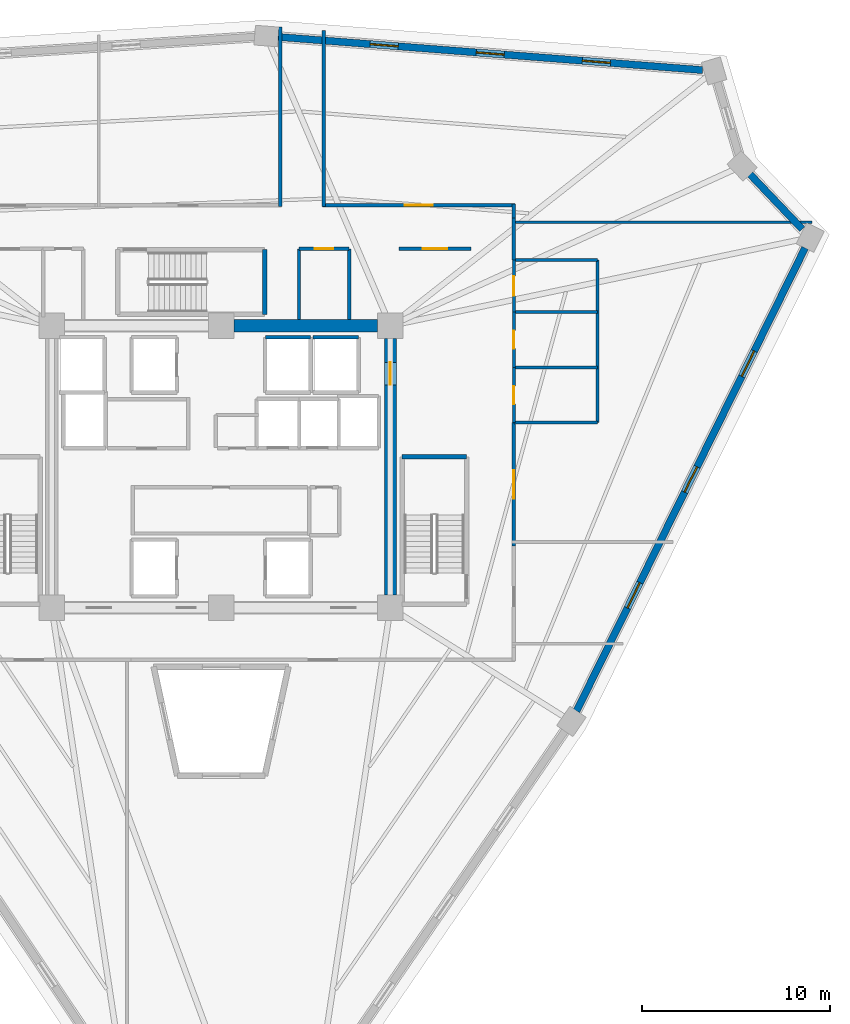
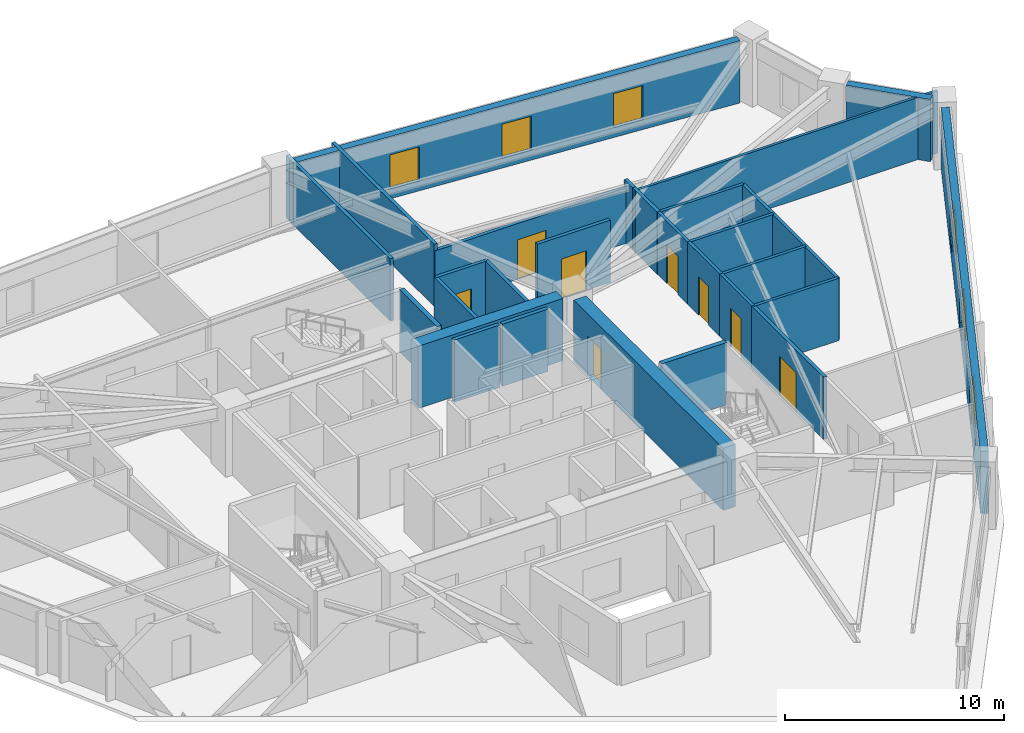
# One storey, part 6 of 8: 28 walls, 8 doors, 6 windows, 14 openings.
"""IFC4 building model written with IfcOpenShell, lengths in metres."""

from ifc_helpers import new_model, si_unit, direction, frame, frame_2d, origin, place, context, subcontext, project, spatial, rectangle, extrude, source, transform, mapped, material, layer, layer_set, type_object, element, fill, save


model = new_model("IFC4")

# Units and contexts
model_context = context("Model", 3, precision=1e-05, world=origin(), true_north=direction((0.0, 1.0)))
body_context = subcontext(model_context, "Body", "Model", "MODEL_VIEW")
ifc_project = project(units=[si_unit("LENGTHUNIT", "METRE"), si_unit("AREAUNIT", "SQUARE_METRE"), si_unit("VOLUMEUNIT", "CUBIC_METRE"), si_unit("PLANEANGLEUNIT", "RADIAN"), si_unit("MASSUNIT", "GRAM", prefix="KILO")], contexts=[model_context])

# Site, building, storey
site_placement = place(None, origin())
site = spatial("IfcSite", under=ifc_project, at=site_placement, CompositionType="ELEMENT")
building_placement = place(site_placement, origin())
building = spatial("IfcBuilding", under=site, at=building_placement, Name="Liaohun Quay Tower", CompositionType="ELEMENT")
storey_placement = place(building_placement, frame((0.0, 0.0, 273.75)))
storey = spatial("IfcBuildingStorey", under=building, at=storey_placement, Name="L71", CompositionType="ELEMENT", Elevation=273.75)

# Wall
ifc_material_1 = material(Name="Concrete C55", Category="concrete")
ifc_layer_1 = layer(ifc_material_1, 0.64990234375, Name="Concrete C55", Category="concrete")
ifc_layer_set_1 = layer_set([ifc_layer_1], Name="Concrete C55")
wall_type_1 = type_object("IfcWallType", Name="WAL-COR-Z3", PredefinedType="SHEAR", material=ifc_layer_set_1)
wall_1_placement = place(storey_placement, frame((60.675048828125, 61.5, 0.0), z_axis=(0.0, 0.0, 1.0), x_axis=(1.0, 0.0, 0.0)))
element("IfcWall", 1, at=wall_1_placement, inside=storey, type_object=wall_type_1, Name="L71 Central Core Shear Wall N-E", PredefinedType="SHEAR", context=body_context, shape_type="SweptSolid", body=[
    extrude(rectangle(XDim=7.64990234375, YDim=0.64990234375, at=frame_2d((3.824951171875, 0.0))), origin(), (0.0, 0.0, 1.0), 3.469970703125),
])

# Wall, opening, door
wall_2_placement = place(storey_placement, frame((69.0, 60.824951171875, 0.0), z_axis=(0.0, 0.0, 1.0), x_axis=(0.0, -1.0, 0.0)))
wall_2 = element("IfcWall", 2, at=wall_2_placement, inside=storey, type_object=wall_type_1, Name="L71 Central Core Shear Wall E", PredefinedType="SHEAR", context=body_context, shape_type="SweptSolid", body=[
    extrude(rectangle(XDim=13.64990234375, YDim=0.64990234375, at=frame_2d((6.824951171875, 0.0))), origin(), (0.0, 0.0, 1.0), 3.469970703125),
])
shared_shape_1 = source(origin(), body_context, "Body", "SweptSolid", [
    extrude(rectangle(XDim=1.199951171875, YDim=2.199951171875, at=frame_2d((0.60009765625, 1.10009765625))), frame((0.0, 0.3349609375, 0.0), z_axis=(0.0, -1.0, 0.0), x_axis=(1.0, 0.0, 0.0)), (0.0, 0.0, 1.0), 0.669921875),
])
opening_1_placement = place(wall_2_placement, frame((1.27490234375, 0.0, 0.0)))
opening_1 = element("IfcOpeningElement", 3, at=opening_1_placement, cuts=wall_2, Name="Opening SD1", PredefinedType="OPENING", context=body_context, shape_type="MappedRepresentation", body=[
    mapped(shared_shape_1, transform((0.0, 0.0, 0.0), x_axis=(1.0, 0.0, 0.0), y_axis=(0.0, 1.0, 0.0), z_axis=(0.0, 0.0, 1.0), scale=1.0)),
])
ifc_material_2 = material(Name="Galvanised steel fire door", Category="steel")
door_type_1 = type_object("IfcDoorType", Name="DOR-STR-1200", OperationType="NOTDEFINED", PredefinedType="DOOR", material=ifc_material_2)
shared_shape_2 = source(origin(), body_context, "Body", "SweptSolid", [
    extrude(rectangle(XDim=1.199951171875, YDim=2.199951171875, at=frame_2d((0.60009765625, 1.10009765625))), frame((0.0, 0.02490234375, 0.0), z_axis=(0.0, -1.0, 0.0), x_axis=(1.0, 0.0, 0.0)), (0.0, 0.0, 1.0), 0.050048828125),
])
door_1_placement = place(opening_1_placement, origin())
door_1 = element("IfcDoor", 4, at=door_1_placement, inside=storey, type_object=door_type_1, Name="L71 North-East Core Lobby Smokeproof Door", OperationType="SINGLE_SWING_LEFT", OverallHeight=2.199951171875, OverallWidth=1.199951171875, PredefinedType="DOOR", context=body_context, shape_type="MappedRepresentation", body=[
    mapped(shared_shape_2, transform((0.0, 0.0, 0.0), x_axis=(1.0, 0.0, 0.0), y_axis=(0.0, 1.0, 0.0), z_axis=(0.0, 0.0, 1.0), scale=1.0)),
])
fill(opening_1, door_1)

# Wall, openings, windows
ifc_material_3 = material(Name="Precast concrete C50 insulated sandwich", Category="concrete")
ifc_layer_2 = layer(ifc_material_3, 0.3798828125, Name="Precast concrete C50 insulated sandwich", Category="concrete")
ifc_layer_set_2 = layer_set([ifc_layer_2], Name="Precast concrete C50 insulated sandwich")
wall_type_2 = type_object("IfcWallType", Name="WAL-EXT-Z34", PredefinedType="SOLIDWALL", material=ifc_layer_set_2)
wall_3_placement = place(storey_placement, frame((78.89697265625, 41.012939453125, 0.0), z_axis=(0.0, 0.0, 1.0), x_axis=(0.44256239755, 0.896737712084, 0.0)))
wall_3 = element("IfcWall", 5, at=wall_3_placement, inside=storey, type_object=wall_type_2, Name="L71 Brutalist Precast Pier Wall 03", PredefinedType="SOLIDWALL", context=body_context, shape_type="SweptSolid", body=[
    extrude(rectangle(XDim=27.456298828125, YDim=0.3798828125, at=frame_2d((13.72802734375, 0.0))), origin(), (0.0, 0.0, 1.0), 3.469970703125),
])
shared_shape_3 = source(origin(), body_context, "Body", "SweptSolid", [
    extrude(rectangle(XDim=1.5, YDim=1.89990234375, at=frame_2d((0.75, 0.949951171875))), frame((0.0, 0.199951171875, 0.0), z_axis=(0.0, -1.0, 0.0), x_axis=(1.0, 0.0, 0.0)), (0.0, 0.0, 1.0), 0.39990234375),
])
opening_2_placement = place(wall_3_placement, frame((6.114013671875, 0.0, 0.550048828125)))
opening_2 = element("IfcOpeningElement", 6, at=opening_2_placement, cuts=wall_3, Name="Opening W03", PredefinedType="OPENING", context=body_context, shape_type="MappedRepresentation", body=[
    mapped(shared_shape_3, transform((0.0, 0.0, 0.0), x_axis=(1.0, 0.0, 0.0), y_axis=(0.0, 1.0, 0.0), z_axis=(0.0, 0.0, 1.0), scale=1.0)),
])
opening_3_placement = place(wall_3_placement, frame((12.97802734375, 0.0, 0.550048828125)))
opening_3 = element("IfcOpeningElement", 7, at=opening_3_placement, cuts=wall_3, Name="Opening W03", PredefinedType="OPENING", context=body_context, shape_type="MappedRepresentation", body=[
    mapped(shared_shape_3, transform((0.0, 0.0, 0.0), x_axis=(1.0, 0.0, 0.0), y_axis=(0.0, 1.0, 0.0), z_axis=(0.0, 0.0, 1.0), scale=1.0)),
])
opening_4_placement = place(wall_3_placement, frame((19.842041015625, 0.0, 0.550048828125)))
opening_4 = element("IfcOpeningElement", 8, at=opening_4_placement, cuts=wall_3, Name="Opening W03", PredefinedType="OPENING", context=body_context, shape_type="MappedRepresentation", body=[
    mapped(shared_shape_3, transform((0.0, 0.0, 0.0), x_axis=(1.0, 0.0, 0.0), y_axis=(0.0, 1.0, 0.0), z_axis=(0.0, 0.0, 1.0), scale=1.0)),
])
ifc_material_4 = material(Name="Triple Low-E argon glazing in thermally broken aluminium", Category="aluminium")
window_type = type_object("IfcWindowType", Name="WIN-PUN-Z3", PartitioningType="DOUBLE_PANEL_VERTICAL", PredefinedType="WINDOW", material=ifc_material_4)
shared_shape_4 = source(origin(), body_context, "Body", "SweptSolid", [
    extrude(rectangle(XDim=1.5, YDim=1.89990234375, at=frame_2d((0.75, 0.949951171875))), frame((0.0, 0.030029296875, 0.0), z_axis=(0.0, -1.0, 0.0), x_axis=(1.0, 0.0, 0.0)), (0.0, 0.0, 1.0), 0.06005859375),
])
window_1_placement = place(opening_2_placement, origin())
window_1 = element("IfcWindow", 9, at=window_1_placement, inside=storey, type_object=window_type, Name="L71 Recessed Cold-Climate Punched Window 03-1", OverallHeight=1.89990234375, OverallWidth=1.5, PartitioningType="DOUBLE_PANEL_VERTICAL", PredefinedType="WINDOW", context=body_context, shape_type="MappedRepresentation", body=[
    mapped(shared_shape_4, transform((0.0, 0.0, 0.0), x_axis=(1.0, 0.0, 0.0), y_axis=(0.0, 1.0, 0.0), z_axis=(0.0, 0.0, 1.0), scale=1.0)),
])
fill(opening_2, window_1)
window_2_placement = place(opening_3_placement, origin())
window_2 = element("IfcWindow", 10, at=window_2_placement, inside=storey, type_object=window_type, Name="L71 Recessed Cold-Climate Punched Window 03-2", OverallHeight=1.89990234375, OverallWidth=1.5, PartitioningType="DOUBLE_PANEL_VERTICAL", PredefinedType="WINDOW", context=body_context, shape_type="MappedRepresentation", body=[
    mapped(shared_shape_4, transform((0.0, 0.0, 0.0), x_axis=(1.0, 0.0, 0.0), y_axis=(0.0, 1.0, 0.0), z_axis=(0.0, 0.0, 1.0), scale=1.0)),
])
fill(opening_3, window_2)
window_3_placement = place(opening_4_placement, origin())
window_3 = element("IfcWindow", 11, at=window_3_placement, inside=storey, type_object=window_type, Name="L71 Recessed Cold-Climate Punched Window 03-3", OverallHeight=1.89990234375, OverallWidth=1.5, PartitioningType="DOUBLE_PANEL_VERTICAL", PredefinedType="WINDOW", context=body_context, shape_type="MappedRepresentation", body=[
    mapped(shared_shape_4, transform((0.0, 0.0, 0.0), x_axis=(1.0, 0.0, 0.0), y_axis=(0.0, 1.0, 0.0), z_axis=(0.0, 0.0, 1.0), scale=1.0)),
])
fill(opening_4, window_3)

# Wall
wall_4_placement = place(storey_placement, frame((90.89599609375, 66.631103515625, 0.0), z_axis=(0.0, 0.0, 1.0), x_axis=(-0.689385443417, 0.724394720028, 0.0)))
element("IfcWall", 12, at=wall_4_placement, inside=storey, type_object=wall_type_2, Name="L71 Brutalist Precast Pier Wall 04", PredefinedType="SOLIDWALL", context=body_context, shape_type="SweptSolid", body=[
    extrude(rectangle(XDim=4.023681640625, YDim=0.3798828125, at=frame_2d((2.01171875, 0.0))), origin(), (0.0, 0.0, 1.0), 3.469970703125),
])

# Wall, openings, windows
wall_5_placement = place(storey_placement, frame((85.596923828125, 75.087890625, 0.0), z_axis=(0.0, 0.0, 1.0), x_axis=(-0.996963017865, 0.077876447083, 0.0)))
wall_5 = element("IfcWall", 13, at=wall_5_placement, inside=storey, type_object=wall_type_2, Name="L71 Brutalist Precast Pier Wall 06", PredefinedType="SOLIDWALL", context=body_context, shape_type="SweptSolid", body=[
    extrude(rectangle(XDim=22.640869140625, YDim=0.3798828125, at=frame_2d((11.3203125, 0.0))), origin(), (0.0, 0.0, 1.0), 3.469970703125),
])
opening_5_placement = place(wall_5_placement, frame((4.909912109375, 0.0, 0.550048828125)))
opening_5 = element("IfcOpeningElement", 14, at=opening_5_placement, cuts=wall_5, Name="Opening W03", PredefinedType="OPENING", context=body_context, shape_type="MappedRepresentation", body=[
    mapped(shared_shape_3, transform((0.0, 0.0, 0.0), x_axis=(1.0, 0.0, 0.0), y_axis=(0.0, 1.0, 0.0), z_axis=(0.0, 0.0, 1.0), scale=1.0)),
])
opening_6_placement = place(wall_5_placement, frame((10.570068359375, 0.0, 0.550048828125)))
opening_6 = element("IfcOpeningElement", 15, at=opening_6_placement, cuts=wall_5, Name="Opening W03", PredefinedType="OPENING", context=body_context, shape_type="MappedRepresentation", body=[
    mapped(shared_shape_3, transform((0.0, 0.0, 0.0), x_axis=(1.0, 0.0, 0.0), y_axis=(0.0, 1.0, 0.0), z_axis=(0.0, 0.0, 1.0), scale=1.0)),
])
opening_7_placement = place(wall_5_placement, frame((16.23095703125, 0.0, 0.550048828125)))
opening_7 = element("IfcOpeningElement", 16, at=opening_7_placement, cuts=wall_5, Name="Opening W03", PredefinedType="OPENING", context=body_context, shape_type="MappedRepresentation", body=[
    mapped(shared_shape_3, transform((0.0, 0.0, 0.0), x_axis=(1.0, 0.0, 0.0), y_axis=(0.0, 1.0, 0.0), z_axis=(0.0, 0.0, 1.0), scale=1.0)),
])
window_4_placement = place(opening_5_placement, origin())
window_4 = element("IfcWindow", 17, at=window_4_placement, inside=storey, type_object=window_type, Name="L71 Recessed Cold-Climate Punched Window 06-1", OverallHeight=1.89990234375, OverallWidth=1.5, PartitioningType="DOUBLE_PANEL_VERTICAL", PredefinedType="WINDOW", context=body_context, shape_type="MappedRepresentation", body=[
    mapped(shared_shape_4, transform((0.0, 0.0, 0.0), x_axis=(1.0, 0.0, 0.0), y_axis=(0.0, 1.0, 0.0), z_axis=(0.0, 0.0, 1.0), scale=1.0)),
])
fill(opening_5, window_4)
window_5_placement = place(opening_6_placement, origin())
window_5 = element("IfcWindow", 18, at=window_5_placement, inside=storey, type_object=window_type, Name="L71 Recessed Cold-Climate Punched Window 06-2", OverallHeight=1.89990234375, OverallWidth=1.5, PartitioningType="DOUBLE_PANEL_VERTICAL", PredefinedType="WINDOW", context=body_context, shape_type="MappedRepresentation", body=[
    mapped(shared_shape_4, transform((0.0, 0.0, 0.0), x_axis=(1.0, 0.0, 0.0), y_axis=(0.0, 1.0, 0.0), z_axis=(0.0, 0.0, 1.0), scale=1.0)),
])
fill(opening_6, window_5)
window_6_placement = place(opening_7_placement, origin())
window_6 = element("IfcWindow", 19, at=window_6_placement, inside=storey, type_object=window_type, Name="L71 Recessed Cold-Climate Punched Window 06-3", OverallHeight=1.89990234375, OverallWidth=1.5, PartitioningType="DOUBLE_PANEL_VERTICAL", PredefinedType="WINDOW", context=body_context, shape_type="MappedRepresentation", body=[
    mapped(shared_shape_4, transform((0.0, 0.0, 0.0), x_axis=(1.0, 0.0, 0.0), y_axis=(0.0, 1.0, 0.0), z_axis=(0.0, 0.0, 1.0), scale=1.0)),
])
fill(opening_7, window_6)

# Wall, opening, door
ifc_material_5 = material(Name="Autoclaved aerated concrete blockwork", Category="masonry")
ifc_layer_3 = layer(ifc_material_5, 0.179931640625, Name="Autoclaved aerated concrete blockwork", Category="masonry")
ifc_layer_set_3 = layer_set([ifc_layer_3], Name="Autoclaved aerated concrete blockwork")
wall_type_3 = type_object("IfcWallType", Name="WAL-PRT-COR", PredefinedType="PARTITIONING", material=ifc_layer_set_3)
wall_6_placement = place(storey_placement, frame((64.139892578125, 65.580078125, 0.0), z_axis=(0.0, 0.0, 1.0), x_axis=(1.0, 0.0, 0.0)))
wall_6 = element("IfcWall", 20, at=wall_6_placement, inside=storey, type_object=wall_type_3, Name="L71 Interior Partition Wall 009", PredefinedType="PARTITIONING", context=body_context, shape_type="SweptSolid", body=[
    extrude(rectangle(XDim=2.670166015625, YDim=0.179931640625, at=frame_2d((1.3349609375, 0.0))), origin(), (0.0, 0.0, 1.0), 3.469970703125),
])
shared_shape_5 = source(origin(), body_context, "Body", "SweptSolid", [
    extrude(rectangle(XDim=1.0, YDim=2.199951171875, at=frame_2d((0.5, 1.10009765625))), frame((0.0, 0.099853515625, 0.0), z_axis=(0.0, -1.0, 0.0), x_axis=(1.0, 0.0, 0.0)), (0.0, 0.0, 1.0), 0.199951171875),
])
opening_8_placement = place(wall_6_placement, frame((0.8349609375, 0.0, 0.0)))
opening_8 = element("IfcOpeningElement", 21, at=opening_8_placement, cuts=wall_6, Name="Opening OD1", PredefinedType="OPENING", context=body_context, shape_type="MappedRepresentation", body=[
    mapped(shared_shape_5, transform((0.0, 0.0, 0.0), x_axis=(1.0, 0.0, 0.0), y_axis=(0.0, 1.0, 0.0), z_axis=(0.0, 0.0, 1.0), scale=1.0)),
])
ifc_material_6 = material(Name="Solid-core oak veneer timber leaf in steel frame", Category="steel")
door_type_2 = type_object("IfcDoorType", Name="DOR-OFF-1000", OperationType="NOTDEFINED", PredefinedType="DOOR", material=ifc_material_6)
shared_shape_6 = source(origin(), body_context, "Body", "SweptSolid", [
    extrude(rectangle(XDim=1.0, YDim=2.199951171875, at=frame_2d((0.5, 1.10009765625))), frame((0.0, 0.02490234375, 0.0), z_axis=(0.0, -1.0, 0.0), x_axis=(1.0, 0.0, 0.0)), (0.0, 0.0, 1.0), 0.050048828125),
])
door_2_placement = place(opening_8_placement, origin())
door_2 = element("IfcDoor", 22, at=door_2_placement, inside=storey, type_object=door_type_2, Name="L71 North-East Server Closet Door", OperationType="SINGLE_SWING_RIGHT", OverallHeight=2.199951171875, OverallWidth=1.0, PredefinedType="DOOR", context=body_context, shape_type="MappedRepresentation", body=[
    mapped(shared_shape_6, transform((0.0, 0.0, 0.0), x_axis=(1.0, 0.0, 0.0), y_axis=(0.0, 1.0, 0.0), z_axis=(0.0, 0.0, 1.0), scale=1.0)),
])
fill(opening_8, door_2)

wall_7_placement = place(storey_placement, frame((69.4599609375, 65.580078125, 0.0), z_axis=(0.0, 0.0, 1.0), x_axis=(1.0, 0.0, 0.0)))
wall_7 = element("IfcWall", 23, at=wall_7_placement, inside=storey, type_object=wall_type_3, Name="L71 Interior Partition Wall 011", PredefinedType="PARTITIONING", context=body_context, shape_type="SweptSolid", body=[
    extrude(rectangle(XDim=3.840087890625, YDim=0.179931640625, at=frame_2d((1.919921875, 0.0))), origin(), (0.0, 0.0, 1.0), 3.469970703125),
])
shared_shape_7 = source(origin(), body_context, "Body", "SweptSolid", [
    extrude(rectangle(XDim=1.300048828125, YDim=2.199951171875, at=frame_2d((0.64990234375, 1.10009765625))), frame((0.0, 0.099853515625, 0.0), z_axis=(0.0, -1.0, 0.0), x_axis=(1.0, 0.0, 0.0)), (0.0, 0.0, 1.0), 0.199951171875),
])
opening_9_placement = place(wall_7_placement, frame((1.27001953125, 0.0, 0.0)))
opening_9 = element("IfcOpeningElement", 24, at=opening_9_placement, cuts=wall_7, Name="Opening FD1", PredefinedType="OPENING", context=body_context, shape_type="MappedRepresentation", body=[
    mapped(shared_shape_7, transform((0.0, 0.0, 0.0), x_axis=(1.0, 0.0, 0.0), y_axis=(0.0, 1.0, 0.0), z_axis=(0.0, 0.0, 1.0), scale=1.0)),
])
ifc_material_7 = material(Name="Galvanised steel smokeproof fire door", Category="steel")
door_type_3 = type_object("IfcDoorType", Name="DOR-FFL-1300", OperationType="NOTDEFINED", PredefinedType="DOOR", material=ifc_material_7)
shared_shape_8 = source(origin(), body_context, "Body", "SweptSolid", [
    extrude(rectangle(XDim=1.300048828125, YDim=2.199951171875, at=frame_2d((0.64990234375, 1.10009765625))), frame((0.0, 0.02490234375, 0.0), z_axis=(0.0, -1.0, 0.0), x_axis=(1.0, 0.0, 0.0)), (0.0, 0.0, 1.0), 0.050048828125),
])
door_3_placement = place(opening_9_placement, origin())
door_3 = element("IfcDoor", 25, at=door_3_placement, inside=storey, type_object=door_type_3, Name="L71 East Core Vestibule Door", OperationType="SINGLE_SWING_RIGHT", OverallHeight=2.199951171875, OverallWidth=1.300048828125, PredefinedType="DOOR", context=body_context, shape_type="MappedRepresentation", body=[
    mapped(shared_shape_8, transform((0.0, 0.0, 0.0), x_axis=(1.0, 0.0, 0.0), y_axis=(0.0, 1.0, 0.0), z_axis=(0.0, 0.0, 1.0), scale=1.0)),
])
fill(opening_9, door_3)

wall_8_placement = place(storey_placement, frame((75.56005859375, 56.340087890625, 0.0), z_axis=(0.0, 0.0, 1.0), x_axis=(0.0, -1.0, 0.0)))
wall_8 = element("IfcWall", 26, at=wall_8_placement, inside=storey, type_object=wall_type_3, Name="L71 Interior Partition Wall 012", PredefinedType="PARTITIONING", context=body_context, shape_type="SweptSolid", body=[
    extrude(rectangle(XDim=6.55517578125, YDim=0.179931640625, at=frame_2d((3.277587890625, 0.0))), origin(), (0.0, 0.0, 1.0), 3.469970703125),
])
shared_shape_9 = source(origin(), body_context, "Body", "SweptSolid", [
    extrude(rectangle(XDim=1.5, YDim=2.199951171875, at=frame_2d((0.75, 1.10009765625))), frame((0.0, 0.099853515625, 0.0), z_axis=(0.0, -1.0, 0.0), x_axis=(1.0, 0.0, 0.0)), (0.0, 0.0, 1.0), 0.199951171875),
])
opening_10_placement = place(wall_8_placement, frame((2.528076171875, 0.0, 0.0)))
opening_10 = element("IfcOpeningElement", 27, at=opening_10_placement, cuts=wall_8, Name="Opening OD2", PredefinedType="OPENING", context=body_context, shape_type="MappedRepresentation", body=[
    mapped(shared_shape_9, transform((0.0, 0.0, 0.0), x_axis=(1.0, 0.0, 0.0), y_axis=(0.0, 1.0, 0.0), z_axis=(0.0, 0.0, 1.0), scale=1.0)),
])
ifc_material_8 = material(Name="Acoustic oak veneer double door")
door_type_4 = type_object("IfcDoorType", Name="DOR-OFF-1500", OperationType="DOUBLE_DOOR_SINGLE_SWING", PredefinedType="DOOR", material=ifc_material_8)
shared_shape_10 = source(origin(), body_context, "Body", "SweptSolid", [
    extrude(rectangle(XDim=1.5, YDim=2.199951171875, at=frame_2d((0.75, 1.10009765625))), frame((0.0, 0.02490234375, 0.0), z_axis=(0.0, -1.0, 0.0), x_axis=(1.0, 0.0, 0.0)), (0.0, 0.0, 1.0), 0.050048828125),
])
door_4_placement = place(opening_10_placement, origin())
door_4 = element("IfcDoor", 28, at=door_4_placement, inside=storey, type_object=door_type_4, Name="L71 Digital Prototyping Laboratory 01 Door", OperationType="DOUBLE_DOOR_SINGLE_SWING", OverallHeight=2.199951171875, OverallWidth=1.5, PredefinedType="DOOR", context=body_context, shape_type="MappedRepresentation", body=[
    mapped(shared_shape_10, transform((0.0, 0.0, 0.0), x_axis=(1.0, 0.0, 0.0), y_axis=(0.0, 1.0, 0.0), z_axis=(0.0, 0.0, 1.0), scale=1.0)),
])
fill(opening_10, door_4)

wall_9_placement = place(storey_placement, frame((65.389892578125, 67.909912109375, 0.0), z_axis=(0.0, 0.0, 1.0), x_axis=(1.0, 0.0, 0.0)))
wall_9 = element("IfcWall", 29, at=wall_9_placement, inside=storey, type_object=wall_type_3, Name="L71 Interior Partition Wall 013", PredefinedType="PARTITIONING", context=body_context, shape_type="SweptSolid", body=[
    extrude(rectangle(XDim=10.239990234375, YDim=0.179931640625, at=frame_2d((5.1201171875, 0.0))), origin(), (0.0, 0.0, 1.0), 3.10498046875),
])
opening_11_placement = place(wall_9_placement, frame((4.3701171875, 0.0, 0.0)))
opening_11 = element("IfcOpeningElement", 30, at=opening_11_placement, cuts=wall_9, Name="Opening OD2", PredefinedType="OPENING", context=body_context, shape_type="MappedRepresentation", body=[
    mapped(shared_shape_9, transform((0.0, 0.0, 0.0), x_axis=(1.0, 0.0, 0.0), y_axis=(0.0, 1.0, 0.0), z_axis=(0.0, 0.0, 1.0), scale=1.0)),
])
door_5_placement = place(opening_11_placement, origin())
door_5 = element("IfcDoor", 31, at=door_5_placement, inside=storey, type_object=door_type_4, Name="L71 Corporate Exhibition Gallery 02 Door", OperationType="DOUBLE_DOOR_SINGLE_SWING", OverallHeight=2.199951171875, OverallWidth=1.5, PredefinedType="DOOR", context=body_context, shape_type="MappedRepresentation", body=[
    mapped(shared_shape_10, transform((0.0, 0.0, 0.0), x_axis=(1.0, 0.0, 0.0), y_axis=(0.0, 1.0, 0.0), z_axis=(0.0, 0.0, 1.0), scale=1.0)),
])
fill(opening_11, door_5)

# Walls
for number, where, z_axis, x_axis, name in (
    (32, (64.139892578125, 61.824951171875, 0.0), (0.0, 0.0, 1.0), (0.0, 1.0, 0.0), "L71 Interior Partition Wall 036"),
    (33, (66.81005859375, 61.824951171875, 0.0), (0.0, 0.0, 1.0), (0.0, 1.0, 0.0), "L71 Interior Partition Wall 037"),
):
    element("IfcWall", number, at=place(storey_placement, frame(where, z_axis=z_axis, x_axis=x_axis)), inside=storey, type_object=wall_type_3, Name=name, PredefinedType="PARTITIONING", context=body_context, shape_type="SweptSolid", body=[
        extrude(rectangle(XDim=3.755126953125, YDim=0.179931640625, at=frame_2d((1.87744140625, 0.0))), origin(), (0.0, 0.0, 1.0), 3.469970703125),
    ])
wall_10_placement = place(storey_placement, frame((75.56005859375, 67.215087890625, 0.0), z_axis=(0.0, 0.0, 1.0), x_axis=(0.0, -1.0, 0.0)))
element("IfcWall", 34, at=wall_10_placement, inside=storey, type_object=wall_type_3, Name="L71 Interior Partition Wall 038", PredefinedType="PARTITIONING", context=body_context, shape_type="SweptSolid", body=[
    extrude(rectangle(XDim=2.235107421875, YDim=0.179931640625, at=frame_2d((1.11767578125, 0.0))), origin(), (0.0, 0.0, 1.0), 3.469970703125),
])
wall_11_placement = place(storey_placement, frame((65.4599609375, 77.201904296875, 0.0), z_axis=(0.0, 0.0, 1.0), x_axis=(0.0, -1.0, 0.0)))
element("IfcWall", 35, at=wall_11_placement, inside=storey, type_object=wall_type_3, Name="L71 Interior Partition Wall 039", PredefinedType="PARTITIONING", context=body_context, shape_type="SweptSolid", body=[
    extrude(rectangle(XDim=9.36181640625, YDim=0.179931640625, at=frame_2d((4.680908203125, 0.0))), origin(), (0.0, 0.0, 1.0), 3.469970703125),
])
wall_12_placement = place(storey_placement, frame((75.56005859375, 67.97998046875, 0.0), z_axis=(0.0, 0.0, 1.0), x_axis=(0.0, -1.0, 0.0)))
element("IfcWall", 36, at=wall_12_placement, inside=storey, type_object=wall_type_3, Name="L71 Interior Partition Wall 040", PredefinedType="PARTITIONING", context=body_context, shape_type="SweptSolid", body=[
    extrude(rectangle(XDim=0.764892578125, YDim=0.179931640625, at=frame_2d((0.38232421875, 0.0))), origin(), (0.0, 0.0, 1.0), 3.469970703125),
])
wall_13_placement = place(storey_placement, frame((63.139892578125, 67.840087890625, 0.0), z_axis=(0.0, 0.0, 1.0), x_axis=(0.0, 1.0, 0.0)))
element("IfcWall", 37, at=wall_13_placement, inside=storey, type_object=wall_type_3, Name="L71 Interior Partition Wall 041", PredefinedType="PARTITIONING", context=body_context, shape_type="SweptSolid", body=[
    extrude(rectangle(XDim=9.54296875, YDim=0.179931640625, at=frame_2d((4.771484375, 0.0))), origin(), (0.0, 0.0, 1.0), 3.469970703125),
])
ifc_material_9 = material(Name="Gypsum board on twin steel studs", Category="steel")
ifc_layer_4 = layer(ifc_material_9, 0.139892578125, Name="Gypsum board on twin steel studs", Category="steel")
ifc_layer_set_4 = layer_set([ifc_layer_4], Name="Gypsum board on twin steel studs")
wall_type_4 = type_object("IfcWallType", Name="WAL-PRT-OFF", PredefinedType="PARTITIONING", material=ifc_layer_set_4)
wall_14_placement = place(storey_placement, frame((75.4599609375, 67.0, 0.0), z_axis=(0.0, 0.0, 1.0), x_axis=(1.0, 0.0, 0.0)))
element("IfcWall", 38, at=wall_14_placement, inside=storey, type_object=wall_type_4, Name="L71 Interior Partition Wall 055", PredefinedType="PARTITIONING", context=body_context, shape_type="SweptSolid", body=[
    extrude(rectangle(XDim=15.9541015625, YDim=0.139892578125, at=frame_2d((7.97705078125, 0.0))), origin(), (0.0, 0.0, 1.0), 3.469970703125),
])

# Wall, opening, door
ifc_material_10 = material(Name="Moisture-resistant masonry blockwork", Category="masonry")
ifc_layer_5 = layer(ifc_material_10, 0.159912109375, Name="Moisture-resistant masonry blockwork", Category="masonry")
ifc_layer_set_5 = layer_set([ifc_layer_5], Name="Moisture-resistant masonry blockwork")
wall_type_5 = type_object("IfcWallType", Name="WAL-PRT-WET", PredefinedType="PARTITIONING", material=ifc_layer_set_5)
wall_15_placement = place(storey_placement, frame((75.56005859375, 56.340087890625, 0.0), z_axis=(0.0, 0.0, 1.0), x_axis=(0.0, 1.0, 0.0)))
wall_15 = element("IfcWall", 39, at=wall_15_placement, inside=storey, type_object=wall_type_5, Name="L71 Interior Partition Wall 005", PredefinedType="PARTITIONING", context=body_context, shape_type="SweptSolid", body=[
    extrude(rectangle(XDim=2.93994140625, YDim=0.159912109375, at=frame_2d((1.469970703125, 0.0))), origin(), (0.0, 0.0, 1.0), 3.469970703125),
])
shared_shape_11 = source(origin(), body_context, "Body", "SweptSolid", [
    extrude(rectangle(XDim=0.949951171875, YDim=2.14990234375, at=frame_2d((0.47509765625, 1.074951171875))), frame((0.0, 0.08984375, 0.0), z_axis=(0.0, -1.0, 0.0), x_axis=(1.0, 0.0, 0.0)), (0.0, 0.0, 1.0), 0.179931640625),
])
opening_12_placement = place(wall_15_placement, frame((0.9951171875, 0.0, 0.0)))
opening_12 = element("IfcOpeningElement", 40, at=opening_12_placement, cuts=wall_15, Name="Opening WD1", PredefinedType="OPENING", context=body_context, shape_type="MappedRepresentation", body=[
    mapped(shared_shape_11, transform((0.0, 0.0, 0.0), x_axis=(1.0, 0.0, 0.0), y_axis=(0.0, 1.0, 0.0), z_axis=(0.0, 0.0, 1.0), scale=1.0)),
])
ifc_material_11 = material(Name="Moisture-resistant laminate timber leaf", Category="wood")
door_type_5 = type_object("IfcDoorType", Name="DOR-WC-950", OperationType="NOTDEFINED", PredefinedType="DOOR", material=ifc_material_11)
shared_shape_12 = source(origin(), body_context, "Body", "SweptSolid", [
    extrude(rectangle(XDim=0.949951171875, YDim=2.14990234375, at=frame_2d((0.47509765625, 1.074951171875))), frame((0.0, 0.02490234375, 0.0), z_axis=(0.0, -1.0, 0.0), x_axis=(1.0, 0.0, 0.0)), (0.0, 0.0, 1.0), 0.050048828125),
])
door_6_placement = place(opening_12_placement, origin())
door_6 = element("IfcDoor", 41, at=door_6_placement, inside=storey, type_object=door_type_5, Name="L71 Male Restroom WC Door", OperationType="SINGLE_SWING_RIGHT", OverallHeight=2.14990234375, OverallWidth=0.949951171875, PredefinedType="DOOR", context=body_context, shape_type="MappedRepresentation", body=[
    mapped(shared_shape_12, transform((0.0, 0.0, 0.0), x_axis=(1.0, 0.0, 0.0), y_axis=(0.0, 1.0, 0.0), z_axis=(0.0, 0.0, 1.0), scale=1.0)),
])
fill(opening_12, door_6)

wall_16_placement = place(storey_placement, frame((75.56005859375, 59.280029296875, 0.0), z_axis=(0.0, 0.0, 1.0), x_axis=(0.0, 1.0, 0.0)))
wall_16 = element("IfcWall", 42, at=wall_16_placement, inside=storey, type_object=wall_type_5, Name="L71 Interior Partition Wall 006", PredefinedType="PARTITIONING", context=body_context, shape_type="SweptSolid", body=[
    extrude(rectangle(XDim=2.9599609375, YDim=0.159912109375, at=frame_2d((1.47998046875, 0.0))), origin(), (0.0, 0.0, 1.0), 3.469970703125),
])
opening_13_placement = place(wall_16_placement, frame((1.0048828125, 0.0, 0.0)))
opening_13 = element("IfcOpeningElement", 43, at=opening_13_placement, cuts=wall_16, Name="Opening WD1", PredefinedType="OPENING", context=body_context, shape_type="MappedRepresentation", body=[
    mapped(shared_shape_11, transform((0.0, 0.0, 0.0), x_axis=(1.0, 0.0, 0.0), y_axis=(0.0, 1.0, 0.0), z_axis=(0.0, 0.0, 1.0), scale=1.0)),
])
door_7_placement = place(opening_13_placement, origin())
door_7 = element("IfcDoor", 44, at=door_7_placement, inside=storey, type_object=door_type_5, Name="L71 Female Restroom WC Door", OperationType="SINGLE_SWING_LEFT", OverallHeight=2.14990234375, OverallWidth=0.949951171875, PredefinedType="DOOR", context=body_context, shape_type="MappedRepresentation", body=[
    mapped(shared_shape_12, transform((0.0, 0.0, 0.0), x_axis=(1.0, 0.0, 0.0), y_axis=(0.0, 1.0, 0.0), z_axis=(0.0, 0.0, 1.0), scale=1.0)),
])
fill(opening_13, door_7)

wall_17_placement = place(storey_placement, frame((75.56005859375, 62.239990234375, 0.0), z_axis=(0.0, 0.0, 1.0), x_axis=(0.0, 1.0, 0.0)))
wall_17 = element("IfcWall", 45, at=wall_17_placement, inside=storey, type_object=wall_type_5, Name="L71 Interior Partition Wall 007", PredefinedType="PARTITIONING", context=body_context, shape_type="SweptSolid", body=[
    extrude(rectangle(XDim=2.739990234375, YDim=0.159912109375, at=frame_2d((1.3701171875, 0.0))), origin(), (0.0, 0.0, 1.0), 3.469970703125),
])
shared_shape_13 = source(origin(), body_context, "Body", "SweptSolid", [
    extrude(rectangle(XDim=1.050048828125, YDim=2.14990234375, at=frame_2d((0.52490234375, 1.074951171875))), frame((0.0, 0.08984375, 0.0), z_axis=(0.0, -1.0, 0.0), x_axis=(1.0, 0.0, 0.0)), (0.0, 0.0, 1.0), 0.179931640625),
])
opening_14_placement = place(wall_17_placement, frame((0.844970703125, 0.0, 0.0)))
opening_14 = element("IfcOpeningElement", 46, at=opening_14_placement, cuts=wall_17, Name="Opening WD2", PredefinedType="OPENING", context=body_context, shape_type="MappedRepresentation", body=[
    mapped(shared_shape_13, transform((0.0, 0.0, 0.0), x_axis=(1.0, 0.0, 0.0), y_axis=(0.0, 1.0, 0.0), z_axis=(0.0, 0.0, 1.0), scale=1.0)),
])
ifc_material_12 = material(Name="Accessible outward-swinging laminate door")
door_type_6 = type_object("IfcDoorType", Name="DOR-AWC-1050", OperationType="NOTDEFINED", PredefinedType="DOOR", material=ifc_material_12)
shared_shape_14 = source(origin(), body_context, "Body", "SweptSolid", [
    extrude(rectangle(XDim=1.050048828125, YDim=2.14990234375, at=frame_2d((0.52490234375, 1.074951171875))), frame((0.0, 0.02490234375, 0.0), z_axis=(0.0, -1.0, 0.0), x_axis=(1.0, 0.0, 0.0)), (0.0, 0.0, 1.0), 0.050048828125),
])
door_8_placement = place(opening_14_placement, origin())
door_8 = element("IfcDoor", 47, at=door_8_placement, inside=storey, type_object=door_type_6, Name="L71 Accessible WC Door", OperationType="SINGLE_SWING_RIGHT", OverallHeight=2.14990234375, OverallWidth=1.050048828125, PredefinedType="DOOR", context=body_context, shape_type="MappedRepresentation", body=[
    mapped(shared_shape_14, transform((0.0, 0.0, 0.0), x_axis=(1.0, 0.0, 0.0), y_axis=(0.0, 1.0, 0.0), z_axis=(0.0, 0.0, 1.0), scale=1.0)),
])
fill(opening_14, door_8)

# Walls
wall_18_placement = place(storey_placement, frame((80.02001953125, 56.340087890625, 0.0), z_axis=(0.0, 0.0, 1.0), x_axis=(0.0, 1.0, 0.0)))
element("IfcWall", 48, at=wall_18_placement, inside=storey, type_object=wall_type_5, Name="L71 Interior Partition Wall 029", PredefinedType="PARTITIONING", context=body_context, shape_type="SweptSolid", body=[
    extrude(rectangle(XDim=8.639892578125, YDim=0.159912109375, at=frame_2d((4.31982421875, 0.0))), origin(), (0.0, 0.0, 1.0), 3.469970703125),
])
for number, where, z_axis, x_axis, name in (
    (49, (75.56005859375, 56.340087890625, 0.0), (0.0, 0.0, 1.0), (1.0, 0.0, 0.0), "L71 Interior Partition Wall 030"),
    (50, (75.56005859375, 59.280029296875, 0.0), (0.0, 0.0, 1.0), (1.0, 0.0, 0.0), "L71 Interior Partition Wall 031"),
    (51, (75.56005859375, 62.239990234375, 0.0), (0.0, 0.0, 1.0), (1.0, 0.0, 0.0), "L71 Interior Partition Wall 032"),
    (52, (75.56005859375, 64.97998046875, 0.0), (0.0, 0.0, 1.0), (1.0, 0.0, 0.0), "L71 Interior Partition Wall 033"),
):
    element("IfcWall", number, at=place(storey_placement, frame(where, z_axis=z_axis, x_axis=x_axis)), inside=storey, type_object=wall_type_5, Name=name, PredefinedType="PARTITIONING", context=body_context, shape_type="SweptSolid", body=[
        extrude(rectangle(XDim=4.4599609375, YDim=0.159912109375, at=frame_2d((2.22998046875, 0.0))), origin(), (0.0, 0.0, 1.0), 3.469970703125),
    ])
ifc_material_13 = material(Name="Concrete C50", Category="concrete")
ifc_layer_6 = layer(ifc_material_13, 0.239990234375, Name="Concrete C50", Category="concrete")
ifc_layer_set_6 = layer_set([ifc_layer_6], Name="Concrete C50")
wall_type_6 = type_object("IfcWallType", Name="WAL-SHF-200", PredefinedType="SOLIDWALL", material=ifc_layer_set_6)
for number, where, z_axis, x_axis, name in (
    (53, (73.06005859375, 54.52001953125, 0.0), (0.0, 0.0, 1.0), (-1.0, 0.0, 0.0), "L71 Stairwell ST-2 Structural Core Wall N"),
    (54, (62.320068359375, 62.10009765625, 0.0), (0.0, 0.0, 1.0), (0.0, 1.0, 0.0), "L71 Stairwell ST-3 Structural Core Wall E"),
):
    element("IfcWall", number, at=place(storey_placement, frame(where, z_axis=z_axis, x_axis=x_axis)), inside=storey, type_object=wall_type_6, Name=name, PredefinedType="SOLIDWALL", context=body_context, shape_type="SweptSolid", body=[
        extrude(rectangle(XDim=3.43994140625, YDim=0.239990234375, at=frame_2d((1.719970703125, 0.0))), origin(), (0.0, 0.0, 1.0), 3.469970703125),
    ])
wall_19_placement = place(storey_placement, frame((64.75, 60.8798828125, 0.0), z_axis=(0.0, 0.0, 1.0), x_axis=(-1.0, 0.0, 0.0)))
element("IfcWall", 55, at=wall_19_placement, inside=storey, type_object=wall_type_6, Name="L71 Lift OB-01 Hoistway Wall N", PredefinedType="SOLIDWALL", context=body_context, shape_type="SweptSolid", body=[
    extrude(rectangle(XDim=2.39990234375, YDim=0.199951171875, at=frame_2d((1.199951171875, 0.0))), origin(), (0.0, 0.0, 1.0), 3.469970703125),
])
wall_20_placement = place(storey_placement, frame((67.300048828125, 60.8798828125, 0.0), z_axis=(0.0, 0.0, 1.0), x_axis=(-1.0, 0.0, 0.0)))
element("IfcWall", 56, at=wall_20_placement, inside=storey, type_object=wall_type_6, Name="L71 Lift OB-02 Hoistway Wall N", PredefinedType="SOLIDWALL", context=body_context, shape_type="SweptSolid", body=[
    extrude(rectangle(XDim=2.400146484375, YDim=0.199951171875, at=frame_2d((1.2001953125, 0.0))), origin(), (0.0, 0.0, 1.0), 3.469970703125),
])

save(model, "model.ifc")
